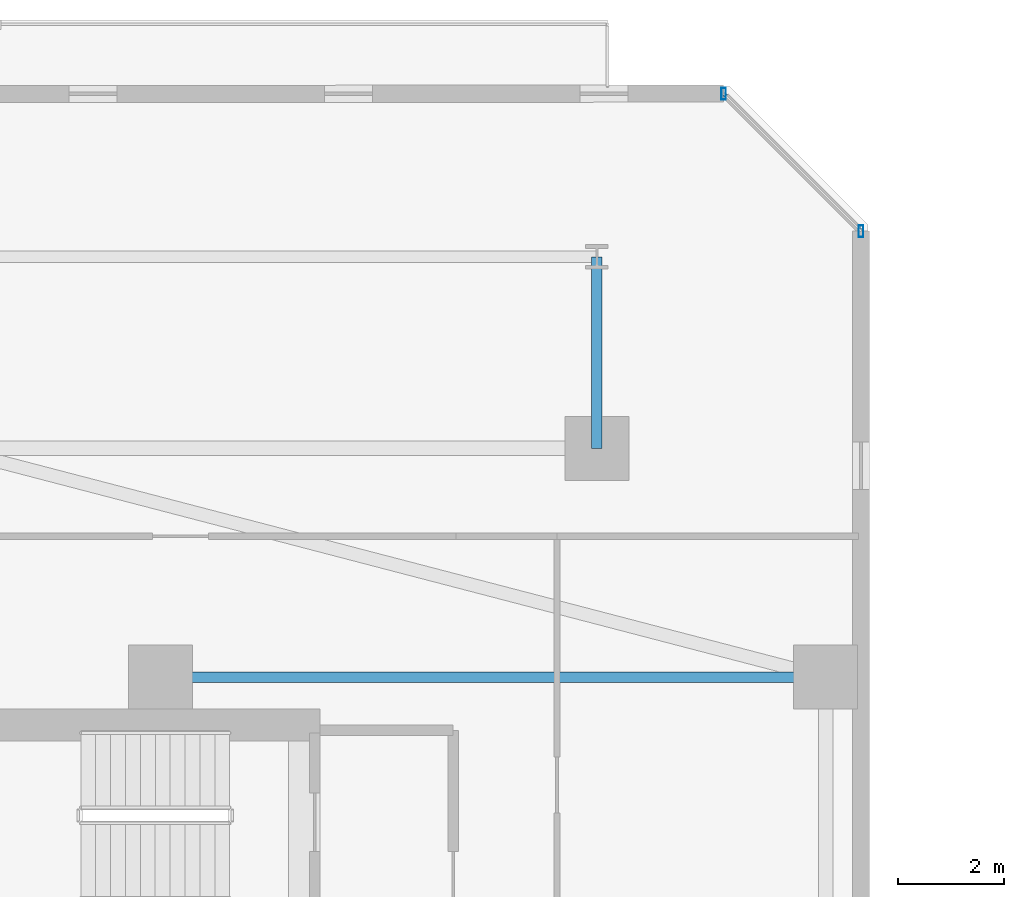
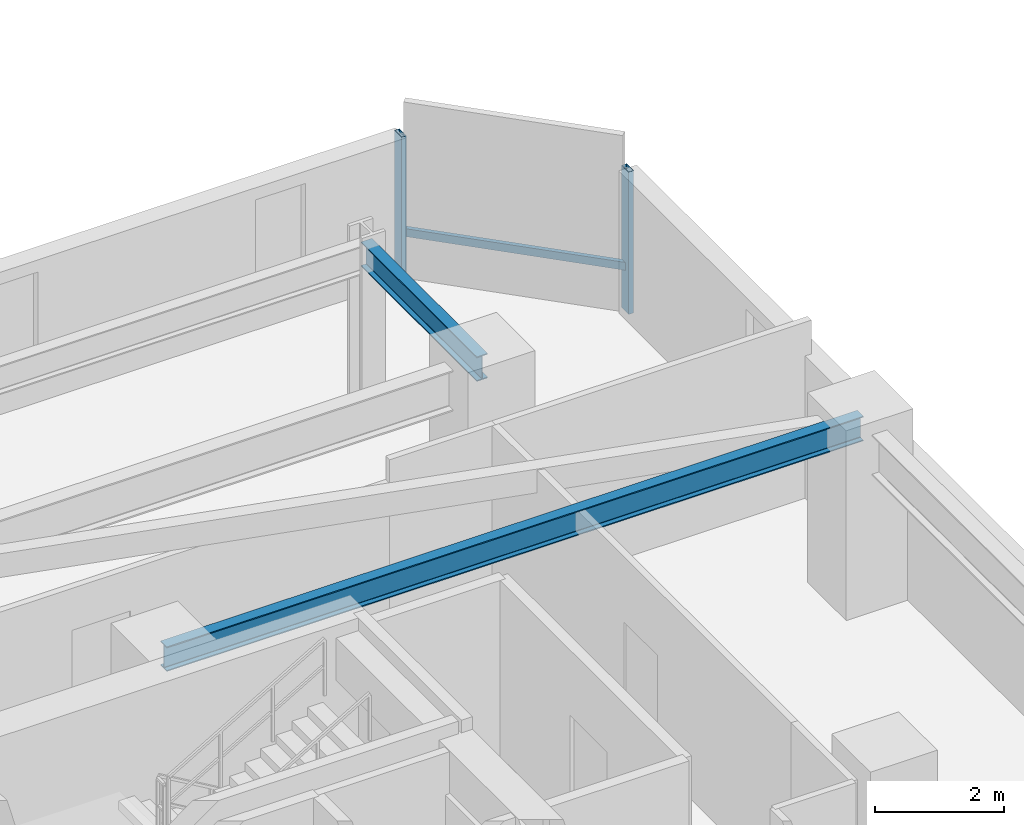
# One storey, part 10 of 33: 3 members, 2 beams, 1 element without a shape of its own.
"""IFC4 building model written with IfcOpenShell, lengths in metres."""

from ifc_helpers import new_model, si_unit, direction, frame, origin, origin_2d, place, context, subcontext, project, spatial, hollow_rectangle, i_section, extrude, material, material_profile, profile_set, type_object, element, aggregate, save


model = new_model("IFC4")

# Units and contexts
model_context = context("Model", 3, precision=1e-05, world=origin(), true_north=direction((0.0, 1.0)))
body_context = subcontext(model_context, "Body", "Model", "MODEL_VIEW")
ifc_project = project(units=[si_unit("LENGTHUNIT", "METRE"), si_unit("AREAUNIT", "SQUARE_METRE"), si_unit("VOLUMEUNIT", "CUBIC_METRE"), si_unit("PLANEANGLEUNIT", "RADIAN"), si_unit("MASSUNIT", "GRAM", prefix="KILO")], contexts=[model_context])

# Site, building, storey
site_placement = place(None, origin())
site = spatial("IfcSite", under=ifc_project, at=site_placement, CompositionType="ELEMENT")
building_placement = place(site_placement, origin())
building = spatial("IfcBuilding", under=site, at=building_placement, Name="Thornwick Lancets Civic Towers", CompositionType="ELEMENT")
storey_placement = place(building_placement, frame((0.0, 0.0, 101.699951171875)))
storey = spatial("IfcBuildingStorey", under=building, at=storey_placement, Name="L26", CompositionType="ELEMENT", Elevation=101.699951171875)

# Beams
ifc_material_1 = material(Name="Steel S355JR", Category="steel")
ifc_material_profile_1 = material_profile(ifc_material_1, i_section(OverallWidth=0.19287109375, OverallDepth=0.46728515625, WebThickness=0.011474609375, FlangeThickness=0.01953125, FilletRadius=0.01025390625, at=origin_2d()), Name="UKB 457x191x98")
ifc_profile_set_1 = profile_set([ifc_material_profile_1], Name="Steel S355JR")
beam_type = type_object("IfcBeamType", Name="BM_JOIST_457_98", PredefinedType="JOIST", material=ifc_profile_set_1)
beam_1_placement = place(storey_placement, frame((30.300048828125, 40.0, 3.12646484375), z_axis=(1.0, 0.0, 0.0), x_axis=(0.0, 1.0, 0.0)))
element("IfcBeam", 1, at=beam_1_placement, inside=storey, type_object=beam_type, Name="BM-RADIN-L26-A06", PredefinedType="JOIST", context=body_context, shape_type="SweptSolid", body=[
    extrude(i_section(OverallWidth=0.19287109375, OverallDepth=0.46728515625, WebThickness=0.011474609375, FlangeThickness=0.01953125, FilletRadius=0.01025390625, at=origin_2d()), origin(), (0.0, 0.0, 1.0), 12.5),
])
beam_2_placement = place(storey_placement, frame((38.5, 44.300048828125, 3.12646484375), z_axis=(0.0, 1.0, 0.0), x_axis=(-1.0, 0.0, 0.0)))
element("IfcBeam", 2, at=beam_2_placement, inside=storey, type_object=beam_type, Name="BM-RAD-L26-A09", PredefinedType="JOIST", context=body_context, shape_type="SweptSolid", body=[
    extrude(i_section(OverallWidth=0.19287109375, OverallDepth=0.46728515625, WebThickness=0.011474609375, FlangeThickness=0.01953125, FilletRadius=0.01025390625, at=origin_2d()), origin(), (0.0, 0.0, 1.0), 3.599853515625),
])

# Curtain wall, members
ifc_material_2 = material(Name="Low-zone chamfered-corner unitised glass curtain wall", Category="glass")
curtain_wall_type = type_object("IfcCurtainWallType", Name="CW_SYS_03", PredefinedType="NOTDEFINED", material=ifc_material_2)
curtain_wall_placement = place(storey_placement, origin())
curtain_wall = element("IfcCurtainWall", 3, at=curtain_wall_placement, inside=storey, type_object=curtain_wall_type, Name="L26 Curtain Wall CW-L26-A-E3", PredefinedType="NOTDEFINED")
ifc_material_3 = material(Name="Thermally broken bronze aluminium S355", Category="steel")
ifc_material_profile_2 = material_profile(ifc_material_3, hollow_rectangle(XDim=0.090087890625, YDim=0.219970703125, WallThickness=0.00634765625, at=origin_2d()), Name="RHS 220x90x6.3")
ifc_profile_set_2 = profile_set([ifc_material_profile_2], Name="Thermally broken bronze aluminium S355")
member_type_1 = type_object("IfcMemberType", Name="CW_MUL_220", PredefinedType="MULLION", material=ifc_profile_set_2)
member_1_placement = place(storey_placement, frame((43.464599609375, 48.38134765625, 0.0), z_axis=(0.0, 0.0, 1.0), x_axis=(1.0, 0.0, 0.0)))
member_1 = element("IfcMember", 4, at=member_1_placement, type_object=member_type_1, Name="CW-L26-A-E3 Mullion 0", PredefinedType="MULLION", context=body_context, shape_type="SweptSolid", body=[
    extrude(hollow_rectangle(XDim=0.090087890625, YDim=0.219970703125, WallThickness=0.00634765625, at=origin_2d()), origin(), (0.0, 0.0, 1.0), 2.699951171875),
])
member_2_placement = place(storey_placement, frame((40.88134765625, 50.964599609375, 0.0), z_axis=(0.0, 0.0, 1.0), x_axis=(1.0, 0.0, 0.0)))
member_2 = element("IfcMember", 5, at=member_2_placement, type_object=member_type_1, Name="CW-L26-A-E3 Mullion 1", PredefinedType="MULLION", context=body_context, shape_type="SweptSolid", body=[
    extrude(hollow_rectangle(XDim=0.090087890625, YDim=0.219970703125, WallThickness=0.00634765625, at=origin_2d()), origin(), (0.0, 0.0, 1.0), 2.699951171875),
])
ifc_material_profile_3 = material_profile(ifc_material_3, hollow_rectangle(XDim=0.074951171875, YDim=0.14990234375, WallThickness=0.0048828125, at=origin_2d()), Name="RHS 150x75x5")
ifc_profile_set_3 = profile_set([ifc_material_profile_3], Name="Thermally broken bronze aluminium S355")
member_type_2 = type_object("IfcMemberType", Name="CW_TRN_150", PredefinedType="USERDEFINED", material=ifc_profile_set_3)
member_3_placement = place(storey_placement, frame((43.45068359375, 48.3955078125, 0.85009765625), z_axis=(-0.707106781187, 0.707106781187, 0.0), x_axis=(-0.707106781187, -0.707106781187, 0.0)))
member_3 = element("IfcMember", 6, at=member_3_placement, type_object=member_type_2, Name="CW-L26-A-E3 Transom 0", ObjectType="TRANSOM", PredefinedType="USERDEFINED", context=body_context, shape_type="SweptSolid", body=[
    extrude(hollow_rectangle(XDim=0.074951171875, YDim=0.14990234375, WallThickness=0.0048828125, at=origin_2d()), origin(), (0.0, 0.0, 1.0), 3.613525390625),
])
aggregate(curtain_wall, [member_1, member_2, member_3])

save(model, "model.ifc")
